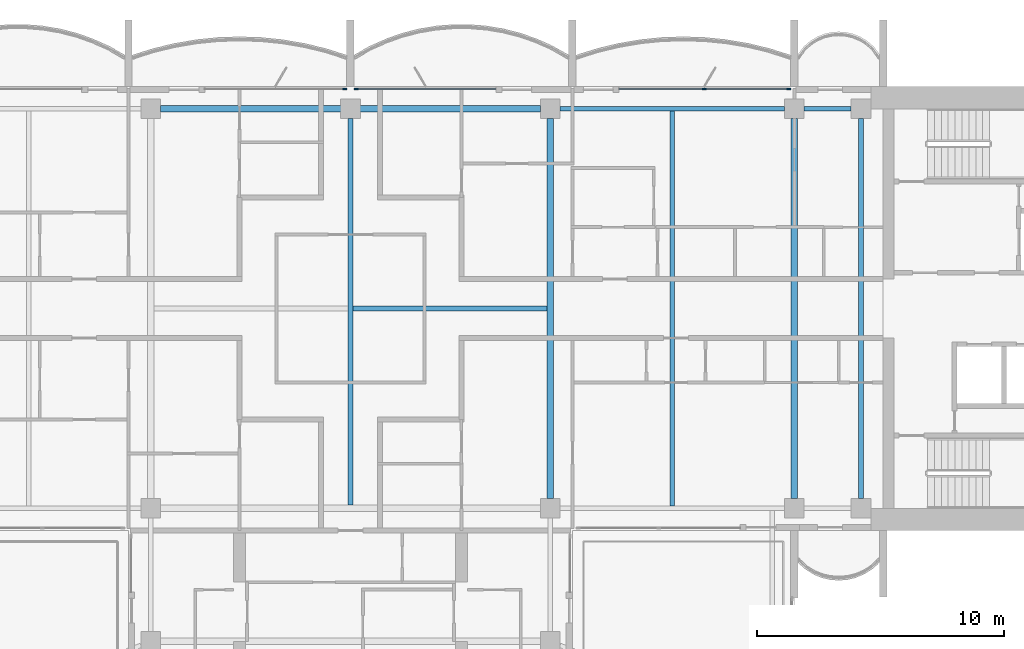
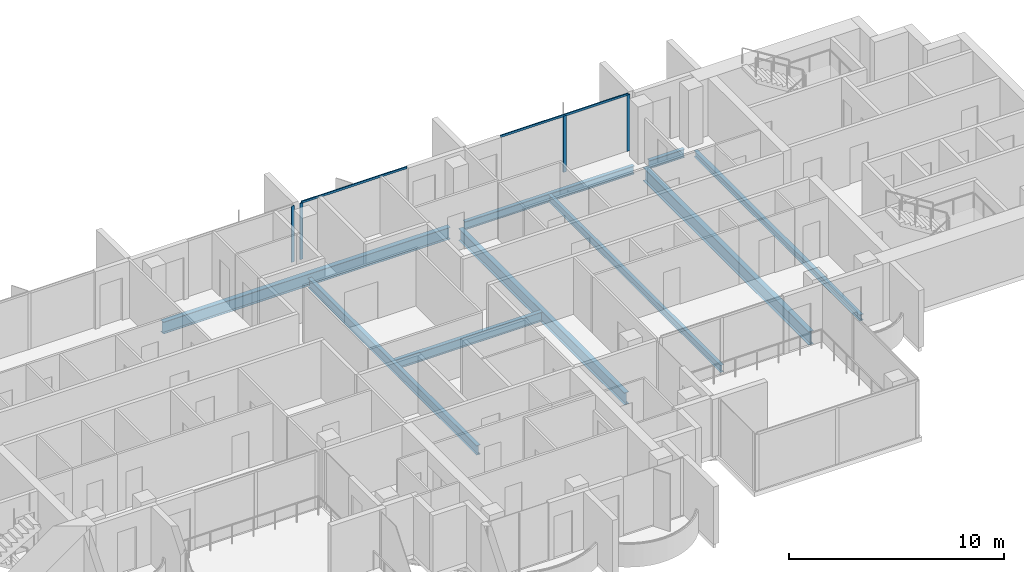
# One storey, part 4 of 16: 9 beams, 6 members, 3 elements without a shape of their own.
"""IFC4 building model written with IfcOpenShell, lengths in metres."""

from ifc_helpers import new_model, si_unit, direction, frame, origin, origin_2d, place, context, subcontext, project, spatial, rectangle, i_section, extrude, material, material_profile, profile_set, type_object, element, aggregate, save


model = new_model("IFC4")

# Units and contexts
model_context = context("Model", 3, precision=1e-05, world=origin(), true_north=direction((0.0, 1.0)))
body_context = subcontext(model_context, "Body", "Model", "MODEL_VIEW")
ifc_project = project(units=[si_unit("LENGTHUNIT", "METRE"), si_unit("AREAUNIT", "SQUARE_METRE"), si_unit("VOLUMEUNIT", "CUBIC_METRE"), si_unit("PLANEANGLEUNIT", "RADIAN"), si_unit("MASSUNIT", "GRAM", prefix="KILO")], contexts=[model_context])

# Site, building, storey
site_placement = place(None, origin())
site = spatial("IfcSite", under=ifc_project, at=site_placement, CompositionType="ELEMENT")
building_placement = place(site_placement, origin())
building = spatial("IfcBuilding", under=site, at=building_placement, Name="Perihelion Cross Residences", CompositionType="ELEMENT")
storey_placement = place(building_placement, frame((0.0, 0.0, 274.5)))
storey = spatial("IfcBuildingStorey", under=building, at=storey_placement, Name="L70", CompositionType="ELEMENT", Elevation=274.5)

# Curtain wall, members
ifc_material_1 = material(Name="Bronze anodised aluminium, tinted glazing", Category="aluminium")
curtain_wall_type = type_object("IfcCurtainWallType", Name="CW1", PredefinedType="NOTDEFINED", material=ifc_material_1)
curtain_wall_1_placement = place(storey_placement, origin())
curtain_wall_1 = element("IfcCurtainWall", 1, at=curtain_wall_1_placement, inside=storey, type_object=curtain_wall_type, Name="Curtain wall CW1 L70 east side north bay 2", PredefinedType="NOTDEFINED")
ifc_material_2 = material(Name="Bronze anodised aluminium", Category="aluminium")
ifc_material_profile_1 = material_profile(ifc_material_2, rectangle(XDim=0.06005859375, YDim=0.159912109375, at=origin_2d()), Name="CW1 mullion")
ifc_profile_set_1 = profile_set([ifc_material_profile_1], Name="Bronze anodised aluminium")
member_type_1 = type_object("IfcMemberType", Name="CW1 mullion", PredefinedType="MULLION", material=ifc_profile_set_1)
member_1_placement = place(storey_placement, frame((17.77001953125, 8.89990234375, 0.0), z_axis=(0.0, 0.0, 1.0), x_axis=(0.0, -1.0, 0.0)))
member_1 = element("IfcMember", 2, at=member_1_placement, type_object=member_type_1, Name="CW1 mullion 1", PredefinedType="MULLION", context=body_context, shape_type="SweptSolid", body=[
    extrude(rectangle(XDim=0.06005859375, YDim=0.159912109375, at=origin_2d()), origin(), (0.0, 0.0, 1.0), 3.18994140625),
])
member_2_placement = place(storey_placement, frame((14.35009765625, 8.89990234375, 0.0), z_axis=(0.0, 0.0, 1.0), x_axis=(0.0, -1.0, 0.0)))
member_2 = element("IfcMember", 3, at=member_2_placement, type_object=member_type_1, Name="CW1 mullion 2", PredefinedType="MULLION", context=body_context, shape_type="SweptSolid", body=[
    extrude(rectangle(XDim=0.06005859375, YDim=0.159912109375, at=origin_2d()), origin(), (0.0, 0.0, 1.0), 3.18994140625),
])

# Curtain wall, member
curtain_wall_2_placement = place(storey_placement, origin())
curtain_wall_2 = element("IfcCurtainWall", 4, at=curtain_wall_2_placement, inside=storey, type_object=curtain_wall_type, Name="Curtain wall CW1 L70 north side east bay 1", PredefinedType="NOTDEFINED")
member_3_placement = place(storey_placement, frame((0.22998046875, 8.89990234375, 0.0), z_axis=(0.0, 0.0, 1.0), x_axis=(0.0, -1.0, 0.0)))
member_3 = element("IfcMember", 5, at=member_3_placement, type_object=member_type_1, Name="CW1 mullion 2", PredefinedType="MULLION", context=body_context, shape_type="SweptSolid", body=[
    extrude(rectangle(XDim=0.06005859375, YDim=0.159912109375, at=origin_2d()), origin(), (0.0, 0.0, 1.0), 3.18994140625),
])

curtain_wall_3_placement = place(storey_placement, origin())
curtain_wall_3 = element("IfcCurtainWall", 6, at=curtain_wall_3_placement, inside=storey, type_object=curtain_wall_type, Name="Curtain wall CW1 L70 north side east bay 2", PredefinedType="NOTDEFINED")
member_4_placement = place(storey_placement, frame((-0.22998046875, 8.89990234375, 0.0), z_axis=(0.0, 0.0, 1.0), x_axis=(0.0, -1.0, 0.0)))
member_4 = element("IfcMember", 7, at=member_4_placement, type_object=member_type_1, Name="CW1 mullion 1", PredefinedType="MULLION", context=body_context, shape_type="SweptSolid", body=[
    extrude(rectangle(XDim=0.06005859375, YDim=0.159912109375, at=origin_2d()), origin(), (0.0, 0.0, 1.0), 3.18994140625),
])
aggregate(curtain_wall_3, [member_4])

# Member
ifc_material_3 = material(Name="Bronze anodised aluminium", Category="aluminium")
ifc_material_profile_2 = material_profile(ifc_material_3, rectangle(XDim=0.06005859375, YDim=0.1201171875, at=origin_2d()), Name="CW1 transom")
ifc_profile_set_2 = profile_set([ifc_material_profile_2], Name="Bronze anodised aluminium")
member_type_2 = type_object("IfcMemberType", Name="CW1 transom", PredefinedType="USERDEFINED", material=ifc_profile_set_2)
member_5_placement = place(storey_placement, frame((17.77001953125, 8.89990234375, 3.219970703125), z_axis=(-1.0, 0.0, 0.0), x_axis=(0.0, -1.0, 0.0)))
member_5 = element("IfcMember", 8, at=member_5_placement, type_object=member_type_2, Name="CW1 head transom", ObjectType="TRANSOM", PredefinedType="USERDEFINED", context=body_context, shape_type="SweptSolid", body=[
    extrude(rectangle(XDim=0.06005859375, YDim=0.1201171875, at=origin_2d()), origin(), (0.0, 0.0, 1.0), 6.8701171875),
])

aggregate(curtain_wall_1, [member_1, member_2, member_5])

member_6_placement = place(storey_placement, frame((5.89990234375, 8.89990234375, 3.219970703125), z_axis=(-1.0, 0.0, 0.0), x_axis=(0.0, -1.0, 0.0)))
member_6 = element("IfcMember", 9, at=member_6_placement, type_object=member_type_2, Name="CW1 head transom", ObjectType="TRANSOM", PredefinedType="USERDEFINED", context=body_context, shape_type="SweptSolid", body=[
    extrude(rectangle(XDim=0.06005859375, YDim=0.1201171875, at=origin_2d()), origin(), (0.0, 0.0, 1.0), 5.669921875),
])

aggregate(curtain_wall_2, [member_3, member_6])

# Beams
ifc_material_4 = material(Name="Steel S355", Category="steel")
ifc_material_profile_3 = material_profile(ifc_material_4, i_section(OverallWidth=0.205078125, OverallDepth=0.35302734375, WebThickness=0.009521484375, FlangeThickness=0.016845703125, at=origin_2d()), Name="W360x79")
ifc_profile_set_3 = profile_set([ifc_material_profile_3], Name="Steel S355")
beam_type_1 = type_object("IfcBeamType", Name="Core edge beam W360x79", PredefinedType="BEAM", material=ifc_profile_set_3)
beam_1_placement = place(storey_placement, frame((20.699951171875, -7.699951171875, -0.426513671875), z_axis=(0.0, 1.0, 0.0), x_axis=(-1.0, 0.0, 0.0)))
element("IfcBeam", 10, at=beam_1_placement, inside=storey, type_object=beam_type_1, Name="Core edge beam TB7 L70 no. 2", PredefinedType="BEAM", context=body_context, shape_type="SweptSolid", body=[
    extrude(i_section(OverallWidth=0.205078125, OverallDepth=0.35302734375, WebThickness=0.009521484375, FlangeThickness=0.016845703125, at=origin_2d()), origin(), (0.0, 0.0, 1.0), 15.39990234375),
])
ifc_material_5 = material(Name="Steel S355", Category="steel")
ifc_material_profile_4 = material_profile(ifc_material_5, i_section(OverallWidth=0.194091796875, OverallDepth=0.469970703125, WebThickness=0.0126953125, FlangeThickness=0.0205078125, at=origin_2d()), Name="W460x106")
ifc_profile_set_4 = profile_set([ifc_material_profile_4], Name="Steel S355")
beam_type_2 = type_object("IfcBeamType", Name="Edge beam W460x106", PredefinedType="SPANDREL", material=ifc_profile_set_4)
beam_2_placement = place(storey_placement, frame((20.300048828125, 8.10009765625, -0.485107421875), z_axis=(-1.0, 0.0, 0.0), x_axis=(0.0, -1.0, 0.0)))
element("IfcBeam", 11, at=beam_2_placement, inside=storey, type_object=beam_type_2, Name="Edge beam SB5 L70 no. 10", PredefinedType="SPANDREL", context=body_context, shape_type="SweptSolid", body=[
    extrude(i_section(OverallWidth=0.194091796875, OverallDepth=0.469970703125, WebThickness=0.0126953125, FlangeThickness=0.0205078125, at=origin_2d()), origin(), (0.0, 0.0, 1.0), 1.900146484375),
])
beam_3_placement = place(storey_placement, frame((17.60009765625, 8.10009765625, -0.485107421875), z_axis=(-1.0, 0.0, 0.0), x_axis=(0.0, -1.0, 0.0)))
element("IfcBeam", 12, at=beam_3_placement, inside=storey, type_object=beam_type_2, Name="Edge beam SB5 L70 no. 9", PredefinedType="SPANDREL", context=body_context, shape_type="SweptSolid", body=[
    extrude(i_section(OverallWidth=0.194091796875, OverallDepth=0.469970703125, WebThickness=0.0126953125, FlangeThickness=0.0205078125, at=origin_2d()), origin(), (0.0, 0.0, 1.0), 9.10009765625),
])
ifc_material_6 = material(Name="Steel S355", Category="steel")
ifc_material_profile_5 = material_profile(ifc_material_6, i_section(OverallWidth=0.26708984375, OverallDepth=0.75390625, WebThickness=0.01318359375, FlangeThickness=0.01708984375, at=origin_2d()), Name="W760x147")
ifc_profile_set_5 = profile_set([ifc_material_profile_5], Name="Steel S355")
beam_type_3 = type_object("IfcBeamType", Name="Floor girder W760x147", PredefinedType="BEAM", material=ifc_profile_set_5)
beam_4_placement = place(storey_placement, frame((18.0, -7.699951171875, -0.626953125), z_axis=(0.0, 1.0, 0.0), x_axis=(-1.0, 0.0, 0.0)))
element("IfcBeam", 13, at=beam_4_placement, inside=storey, type_object=beam_type_3, Name="Girder G5 L70 no. 2", PredefinedType="BEAM", context=body_context, shape_type="SweptSolid", body=[
    extrude(i_section(OverallWidth=0.26708984375, OverallDepth=0.75390625, WebThickness=0.01318359375, FlangeThickness=0.01708984375, at=origin_2d()), origin(), (0.0, 0.0, 1.0), 15.39990234375),
])
ifc_material_7 = material(Name="Steel S355", Category="steel")
ifc_material_profile_6 = material_profile(ifc_material_7, i_section(OverallWidth=0.177978515625, OverallDepth=0.406005859375, WebThickness=0.0078125, FlangeThickness=0.0126953125, at=origin_2d()), Name="W410x60")
ifc_profile_set_6 = profile_set([ifc_material_profile_6], Name="Steel S355")
beam_type_4 = type_object("IfcBeamType", Name="Floor joist W410x60", PredefinedType="JOIST", material=ifc_profile_set_6)
beam_5_placement = place(storey_placement, frame((13.050048828125, -8.0029296875, -0.452880859375), z_axis=(0.0, 1.0, 0.0), x_axis=(-1.0, 0.0, 0.0)))
element("IfcBeam", 14, at=beam_5_placement, inside=storey, type_object=beam_type_4, Name="Joist J6 L70 no. 2", PredefinedType="JOIST", context=body_context, shape_type="SweptSolid", body=[
    extrude(i_section(OverallWidth=0.177978515625, OverallDepth=0.406005859375, WebThickness=0.0078125, FlangeThickness=0.0126953125, at=origin_2d()), origin(), (0.0, 0.0, 1.0), 16.005859375),
])
ifc_material_8 = material(Name="Steel S355", Category="steel")
ifc_material_profile_7 = material_profile(ifc_material_8, i_section(OverallWidth=0.208984375, OverallDepth=0.532958984375, WebThickness=0.01025390625, FlangeThickness=0.015625, at=origin_2d()), Name="W530x92")
ifc_profile_set_7 = profile_set([ifc_material_profile_7], Name="Steel S355")
beam_type_5 = type_object("IfcBeamType", Name="Hub cross beam W530x92", PredefinedType="BEAM", material=ifc_profile_set_7)
beam_6_placement = place(storey_placement, frame((0.0, -7.972900390625, -0.5166015625), z_axis=(0.0, 1.0, 0.0), x_axis=(-1.0, 0.0, 0.0)))
element("IfcBeam", 15, at=beam_6_placement, inside=storey, type_object=beam_type_5, Name="Hub cross beam XB5 L70 no. 1", PredefinedType="BEAM", context=body_context, shape_type="SweptSolid", body=[
    extrude(i_section(OverallWidth=0.208984375, OverallDepth=0.532958984375, WebThickness=0.01025390625, FlangeThickness=0.015625, at=origin_2d()), origin(), (0.0, 0.0, 1.0), 15.6728515625),
])
beam_7_placement = place(storey_placement, frame((0.1044921875, 0.0, -0.5166015625), z_axis=(1.0, 0.0, 0.0), x_axis=(0.0, 1.0, 0.0)))
element("IfcBeam", 16, at=beam_7_placement, inside=storey, type_object=beam_type_5, Name="Hub cross beam XB5 L70 2 no. 1", PredefinedType="BEAM", context=body_context, shape_type="SweptSolid", body=[
    extrude(i_section(OverallWidth=0.208984375, OverallDepth=0.532958984375, WebThickness=0.01025390625, FlangeThickness=0.015625, at=origin_2d()), origin(), (0.0, 0.0, 1.0), 7.868408203125),
])
ifc_material_9 = material(Name="Steel S355", Category="steel")
ifc_material_profile_8 = material_profile(ifc_material_9, i_section(OverallWidth=0.25390625, OverallDepth=0.677978515625, WebThickness=0.01171875, FlangeThickness=0.016357421875, at=origin_2d()), Name="W690x125")
ifc_profile_set_8 = profile_set([ifc_material_profile_8], Name="Steel S355")
beam_type_6 = type_object("IfcBeamType", Name="Hub ring girder W690x125", PredefinedType="BEAM", material=ifc_profile_set_8)
for number, where, z_axis, x_axis, name in (
    (17, (8.10009765625, -7.699951171875, -0.589111328125), (0.0, 1.0, 0.0), (-1.0, 0.0, 0.0), "Hub ring girder RG5 L70 no. 3"),
    (18, (7.699951171875, 8.10009765625, -0.589111328125), (-1.0, 0.0, 0.0), (0.0, -1.0, 0.0), "Hub ring girder RG5 L70 no. 4"),
):
    element("IfcBeam", number, at=place(storey_placement, frame(where, z_axis=z_axis, x_axis=x_axis)), inside=storey, type_object=beam_type_6, Name=name, PredefinedType="BEAM", context=body_context, shape_type="SweptSolid", body=[
        extrude(i_section(OverallWidth=0.25390625, OverallDepth=0.677978515625, WebThickness=0.01171875, FlangeThickness=0.016357421875, at=origin_2d()), origin(), (0.0, 0.0, 1.0), 15.39990234375),
    ])

save(model, "model.ifc")
